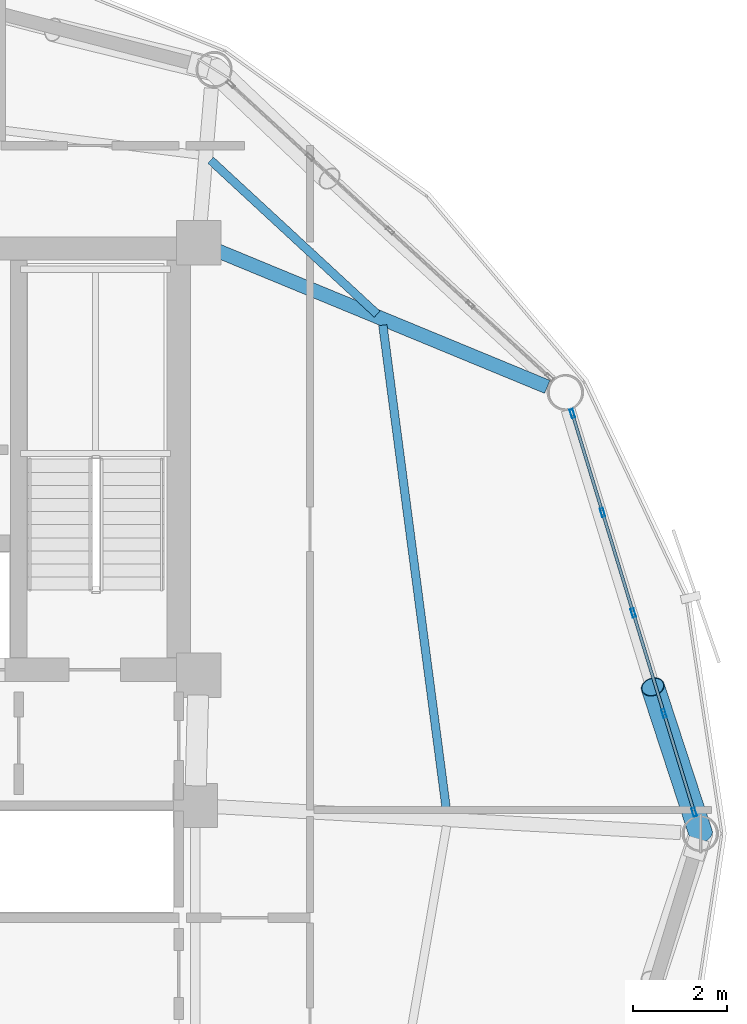
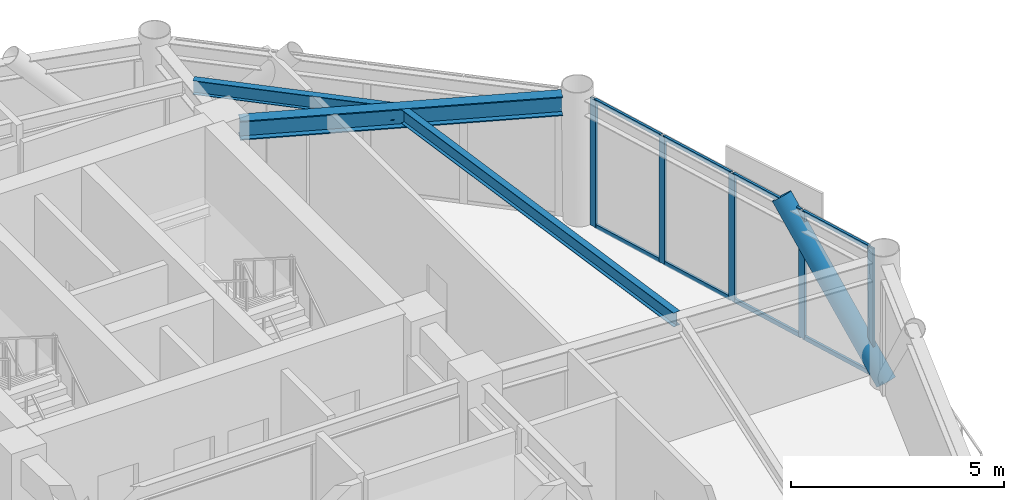
# One storey, part 16 of 25: 14 members, 3 beams, 1 element without a shape of its own.
"""IFC4 building model written with IfcOpenShell, lengths in metres."""

from ifc_helpers import new_model, si_unit, direction, frame, origin, origin_2d, place, context, subcontext, project, spatial, hollow_rectangle, hollow_circle, i_section, extrude, material, layer, layer_set, material_profile, profile_set, type_object, element, aggregate, save


model = new_model("IFC4")

# Units and contexts
model_context = context("Model", 3, precision=1e-05, world=origin(), true_north=direction((0.0, 1.0)))
body_context = subcontext(model_context, "Body", "Model", "MODEL_VIEW")
ifc_project = project(units=[si_unit("LENGTHUNIT", "METRE"), si_unit("AREAUNIT", "SQUARE_METRE"), si_unit("VOLUMEUNIT", "CUBIC_METRE"), si_unit("PLANEANGLEUNIT", "RADIAN"), si_unit("MASSUNIT", "GRAM", prefix="KILO")], contexts=[model_context])

# Site, building, storey
site_placement = place(None, origin())
site = spatial("IfcSite", under=ifc_project, at=site_placement, CompositionType="ELEMENT")
building_placement = place(site_placement, origin())
building = spatial("IfcBuilding", under=site, at=building_placement, Name="Varnakorn Sky Granary", CompositionType="ELEMENT")
storey_placement = place(building_placement, frame((0.0, 0.0, 157.800048828125)))
storey = spatial("IfcBuildingStorey", under=building, at=storey_placement, Name="L39", CompositionType="ELEMENT", Elevation=157.800048828125)

# Beams
ifc_material_1 = material(Name="Steel S355JR", Category="steel")
ifc_material_profile_1 = material_profile(ifc_material_1, i_section(OverallWidth=0.300048828125, OverallDepth=0.550048828125, WebThickness=0.014892578125, FlangeThickness=0.029052734375, at=origin_2d()), Name="HE 550 B")
ifc_profile_set_1 = profile_set([ifc_material_profile_1], Name="Steel S355JR")
beam_type_1 = type_object("IfcBeamType", Name="BM-RAD-Z3", PredefinedType="BEAM", material=ifc_profile_set_1)
beam_1_placement = place(storey_placement, frame((8.80810546875, 12.459716796875, 3.364990234375), z_axis=(0.924348174306, -0.381550065727, 0.0), x_axis=(0.381550065727, 0.924348174306, 0.0)))
element("IfcBeam", 1, at=beam_1_placement, inside=storey, type_object=beam_type_1, Name="Radial Floor Girder RG02 L39", PredefinedType="BEAM", context=body_context, shape_type="SweptSolid", body=[
    extrude(i_section(OverallWidth=0.300048828125, OverallDepth=0.550048828125, WebThickness=0.014892578125, FlangeThickness=0.029052734375, at=origin_2d()), origin(), (0.0, 0.0, 1.0), 7.639892578125),
])
ifc_material_profile_2 = material_profile(ifc_material_1, i_section(OverallWidth=0.179931640625, OverallDepth=0.39990234375, WebThickness=0.008544921875, FlangeThickness=0.013427734375, at=origin_2d()), Name="IPE 400")
ifc_profile_set_2 = profile_set([ifc_material_profile_2], Name="Steel S355JR")
beam_type_2 = type_object("IfcBeamType", Name="BM-SEC-Z3", PredefinedType="BEAM", material=ifc_profile_set_2)
beam_2_placement = place(storey_placement, frame((13.72509765625, 0.437255859375, 3.43994140625), z_axis=(-0.130064719483, 0.99150550616, 0.0), x_axis=(-0.99150550616, -0.130064719483, 0.0)))
element("IfcBeam", 2, at=beam_2_placement, inside=storey, type_object=beam_type_2, Name="Secondary Floor Chord Beam MSB01 L39", PredefinedType="BEAM", context=body_context, shape_type="SweptSolid", body=[
    extrude(i_section(OverallWidth=0.179931640625, OverallDepth=0.39990234375, WebThickness=0.008544921875, FlangeThickness=0.013427734375, at=origin_2d()), origin(), (0.0, 0.0, 1.0), 10.515380859375),
])
beam_3_placement = place(storey_placement, frame((12.236328125, 11.09716796875, 3.43994140625), z_axis=(-0.734390023157, 0.678727702313, 0.0), x_axis=(-0.678727702313, -0.734390023157, 0.0)))
element("IfcBeam", 3, at=beam_3_placement, inside=storey, type_object=beam_type_2, Name="Secondary Floor Chord Beam MSB02 L39", PredefinedType="BEAM", context=body_context, shape_type="SweptSolid", body=[
    extrude(i_section(OverallWidth=0.179931640625, OverallDepth=0.39990234375, WebThickness=0.008544921875, FlangeThickness=0.013427734375, at=origin_2d()), origin(), (0.0, 0.0, 1.0), 4.8466796875),
])

# Curtain wall, members
ifc_material_2 = material(Name="Anodised Bronze Aluminium Alloy 6063-T6", Category="aluminium")
ifc_layer = layer(ifc_material_2, 0.179931640625, Name="Anodised Bronze Aluminium Alloy 6063-T6")
ifc_layer_set = layer_set([ifc_layer], Name="Anodised Bronze Aluminium Alloy 6063-T6")
curtain_wall_type = type_object("IfcCurtainWallType", Name="CW-FRM-2", PredefinedType="USERDEFINED", material=ifc_layer_set)
curtain_wall_placement = place(storey_placement, origin())
curtain_wall = element("IfcCurtainWall", 4, at=curtain_wall_placement, inside=storey, type_object=curtain_wall_type, Name="Unitised Curtain Wall CW4 CW-L39-B01", ObjectType="CURTAIN WALL", PredefinedType="USERDEFINED")
ifc_material_profile_3 = material_profile(ifc_material_2, hollow_rectangle(XDim=0.070068359375, YDim=0.18505859375, WallThickness=0.00390625, at=origin_2d()), Name="ALU MULL 70x185")
ifc_profile_set_3 = profile_set([ifc_material_profile_3], Name="Anodised Bronze Aluminium Alloy 6063-T6")
member_type_1 = type_object("IfcMemberType", Name="CW-FRM-2-MULL", PredefinedType="MULLION", material=ifc_profile_set_3)
member_1_placement = place(storey_placement, frame((16.40576171875, 8.973876953125, 0.0), z_axis=(0.0, 0.0, 1.0), x_axis=(0.956285487448, 0.292434721769, 0.0)))
member_1 = element("IfcMember", 5, at=member_1_placement, type_object=member_type_1, Name="CW4 mullion 1", PredefinedType="MULLION", context=body_context, shape_type="SweptSolid", body=[
    extrude(hollow_rectangle(XDim=0.070068359375, YDim=0.18505859375, WallThickness=0.00390625, at=origin_2d()), origin(), (0.0, 0.0, 1.0), 3.639892578125),
])
member_2_placement = place(storey_placement, frame((17.0517578125, 6.86083984375, 0.0), z_axis=(0.0, 0.0, 1.0), x_axis=(0.956285487448, 0.292434721769, 0.0)))
member_2 = element("IfcMember", 6, at=member_2_placement, type_object=member_type_1, Name="CW4 mullion 2", PredefinedType="MULLION", context=body_context, shape_type="SweptSolid", body=[
    extrude(hollow_rectangle(XDim=0.070068359375, YDim=0.18505859375, WallThickness=0.00390625, at=origin_2d()), origin(), (0.0, 0.0, 1.0), 3.639892578125),
])
member_3_placement = place(storey_placement, frame((17.708251953125, 4.714599609375, 0.0), z_axis=(0.0, 0.0, 1.0), x_axis=(0.956285487448, 0.292434721769, 0.0)))
member_3 = element("IfcMember", 7, at=member_3_placement, type_object=member_type_1, Name="CW4 mullion 3", PredefinedType="MULLION", context=body_context, shape_type="SweptSolid", body=[
    extrude(hollow_rectangle(XDim=0.070068359375, YDim=0.18505859375, WallThickness=0.00390625, at=origin_2d()), origin(), (0.0, 0.0, 1.0), 3.639892578125),
])
member_4_placement = place(storey_placement, frame((18.36474609375, 2.568115234375, 0.0), z_axis=(0.0, 0.0, 1.0), x_axis=(0.956285487448, 0.292434721769, 0.0)))
member_4 = element("IfcMember", 8, at=member_4_placement, type_object=member_type_1, Name="CW4 mullion 4", PredefinedType="MULLION", context=body_context, shape_type="SweptSolid", body=[
    extrude(hollow_rectangle(XDim=0.070068359375, YDim=0.18505859375, WallThickness=0.00390625, at=origin_2d()), origin(), (0.0, 0.0, 1.0), 3.639892578125),
])
member_5_placement = place(storey_placement, frame((19.0107421875, 0.455078125, 0.0), z_axis=(0.0, 0.0, 1.0), x_axis=(0.956285487448, 0.292434721769, 0.0)))
member_5 = element("IfcMember", 9, at=member_5_placement, type_object=member_type_1, Name="CW4 mullion 5", PredefinedType="MULLION", context=body_context, shape_type="SweptSolid", body=[
    extrude(hollow_rectangle(XDim=0.070068359375, YDim=0.18505859375, WallThickness=0.00390625, at=origin_2d()), origin(), (0.0, 0.0, 1.0), 3.639892578125),
])
ifc_material_profile_4 = material_profile(ifc_material_2, hollow_rectangle(XDim=0.06494140625, YDim=0.1201171875, WallThickness=0.00341796875, at=origin_2d()), Name="ALU TRAN 65x120")
ifc_profile_set_4 = profile_set([ifc_material_profile_4], Name="Anodised Bronze Aluminium Alloy 6063-T6")
member_type_2 = type_object("IfcMemberType", Name="CW-FRM-2-TRAN", PredefinedType="USERDEFINED", material=ifc_profile_set_4)
member_6_placement = place(storey_placement, frame((16.416015625, 8.9404296875, 0.032470703125), z_axis=(0.292441737886, -0.956283341872, 0.0), x_axis=(0.956283341872, 0.292441737886, 0.0)))
member_6 = element("IfcMember", 10, at=member_6_placement, type_object=member_type_2, Name="CW4 transom 1.1", ObjectType="TRANSOM", PredefinedType="USERDEFINED", context=body_context, shape_type="SweptSolid", body=[
    extrude(hollow_rectangle(XDim=0.06494140625, YDim=0.1201171875, WallThickness=0.00341796875, at=origin_2d()), origin(), (0.0, 0.0, 1.0), 2.1396484375),
])
member_7_placement = place(storey_placement, frame((16.416015625, 8.9404296875, 3.607421875), z_axis=(0.292441737886, -0.956283341872, 0.0), x_axis=(0.956283341872, 0.292441737886, 0.0)))
member_7 = element("IfcMember", 11, at=member_7_placement, type_object=member_type_2, Name="CW4 transom 1.2", ObjectType="TRANSOM", PredefinedType="USERDEFINED", context=body_context, shape_type="SweptSolid", body=[
    extrude(hollow_rectangle(XDim=0.06494140625, YDim=0.1201171875, WallThickness=0.00341796875, at=origin_2d()), origin(), (0.0, 0.0, 1.0), 2.1396484375),
])
member_8_placement = place(storey_placement, frame((17.06201171875, 6.827392578125, 0.032470703125), z_axis=(0.292483807527, -0.956270475511, 0.0), x_axis=(0.956270475511, 0.292483807527, 0.0)))
member_8 = element("IfcMember", 12, at=member_8_placement, type_object=member_type_2, Name="CW4 transom 2.1", ObjectType="TRANSOM", PredefinedType="USERDEFINED", context=body_context, shape_type="SweptSolid", body=[
    extrude(hollow_rectangle(XDim=0.06494140625, YDim=0.1201171875, WallThickness=0.00341796875, at=origin_2d()), origin(), (0.0, 0.0, 1.0), 2.17431640625),
])
member_9_placement = place(storey_placement, frame((17.06201171875, 6.827392578125, 3.607421875), z_axis=(0.292483807527, -0.956270475511, 0.0), x_axis=(0.956270475511, 0.292483807527, 0.0)))
member_9 = element("IfcMember", 13, at=member_9_placement, type_object=member_type_2, Name="CW4 transom 2.2", ObjectType="TRANSOM", PredefinedType="USERDEFINED", context=body_context, shape_type="SweptSolid", body=[
    extrude(hollow_rectangle(XDim=0.06494140625, YDim=0.1201171875, WallThickness=0.00341796875, at=origin_2d()), origin(), (0.0, 0.0, 1.0), 2.17431640625),
])
member_10_placement = place(storey_placement, frame((17.718505859375, 4.680908203125, 0.032470703125), z_axis=(0.292483807527, -0.956270475511, 0.0), x_axis=(0.956270475511, 0.292483807527, 0.0)))
member_10 = element("IfcMember", 14, at=member_10_placement, type_object=member_type_2, Name="CW4 transom 3.1", ObjectType="TRANSOM", PredefinedType="USERDEFINED", context=body_context, shape_type="SweptSolid", body=[
    extrude(hollow_rectangle(XDim=0.06494140625, YDim=0.1201171875, WallThickness=0.00341796875, at=origin_2d()), origin(), (0.0, 0.0, 1.0), 2.17431640625),
])
member_11_placement = place(storey_placement, frame((17.718505859375, 4.680908203125, 3.607421875), z_axis=(0.292483807527, -0.956270475511, 0.0), x_axis=(0.956270475511, 0.292483807527, 0.0)))
member_11 = element("IfcMember", 15, at=member_11_placement, type_object=member_type_2, Name="CW4 transom 3.2", ObjectType="TRANSOM", PredefinedType="USERDEFINED", context=body_context, shape_type="SweptSolid", body=[
    extrude(hollow_rectangle(XDim=0.06494140625, YDim=0.1201171875, WallThickness=0.00341796875, at=origin_2d()), origin(), (0.0, 0.0, 1.0), 2.17431640625),
])
member_12_placement = place(storey_placement, frame((18.374755859375, 2.53466796875, 0.032470703125), z_axis=(0.292441737886, -0.956283341872, 0.0), x_axis=(0.956283341872, 0.292441737886, 0.0)))
member_12 = element("IfcMember", 16, at=member_12_placement, type_object=member_type_2, Name="CW4 transom 4.1", ObjectType="TRANSOM", PredefinedType="USERDEFINED", context=body_context, shape_type="SweptSolid", body=[
    extrude(hollow_rectangle(XDim=0.06494140625, YDim=0.1201171875, WallThickness=0.00341796875, at=origin_2d()), origin(), (0.0, 0.0, 1.0), 2.1396484375),
])
member_13_placement = place(storey_placement, frame((18.374755859375, 2.53466796875, 3.607421875), z_axis=(0.292441737886, -0.956283341872, 0.0), x_axis=(0.956283341872, 0.292441737886, 0.0)))
member_13 = element("IfcMember", 17, at=member_13_placement, type_object=member_type_2, Name="CW4 transom 4.2", ObjectType="TRANSOM", PredefinedType="USERDEFINED", context=body_context, shape_type="SweptSolid", body=[
    extrude(hollow_rectangle(XDim=0.06494140625, YDim=0.1201171875, WallThickness=0.00341796875, at=origin_2d()), origin(), (0.0, 0.0, 1.0), 2.1396484375),
])
aggregate(curtain_wall, [member_1, member_2, member_3, member_4, member_5, member_6, member_7, member_8, member_9, member_10, member_11, member_12, member_13])

# Member
ifc_material_3 = material(Name="Steel S460M", Category="steel")
ifc_material_profile_5 = material_profile(ifc_material_3, hollow_circle(Radius=0.25390625, WallThickness=0.01806640625, at=origin_2d()), Name="CHS 508x18")
ifc_profile_set_5 = profile_set([ifc_material_profile_5], Name="Steel S460M")
member_type_3 = type_object("IfcMemberType", Name="MB-DIAG-T2", PredefinedType="BRACE", material=ifc_profile_set_5)
member_14_placement = place(storey_placement, frame((19.14990234375, 0.0, 0.0), z_axis=(-0.20403760447, 0.623969249582, 0.754341455534), x_axis=(-0.950473881484, -0.310804441115, 0.0)))
element("IfcMember", 18, at=member_14_placement, inside=storey, type_object=member_type_3, Name="Perimeter CHS Diagrid Brace DG01 L39", PredefinedType="BRACE", context=body_context, shape_type="SweptSolid", body=[
    extrude(hollow_circle(Radius=0.25390625, WallThickness=0.01806640625, at=origin_2d()), origin(), (0.0, 0.0, 1.0), 5.0244140625),
])

save(model, "model.ifc")
